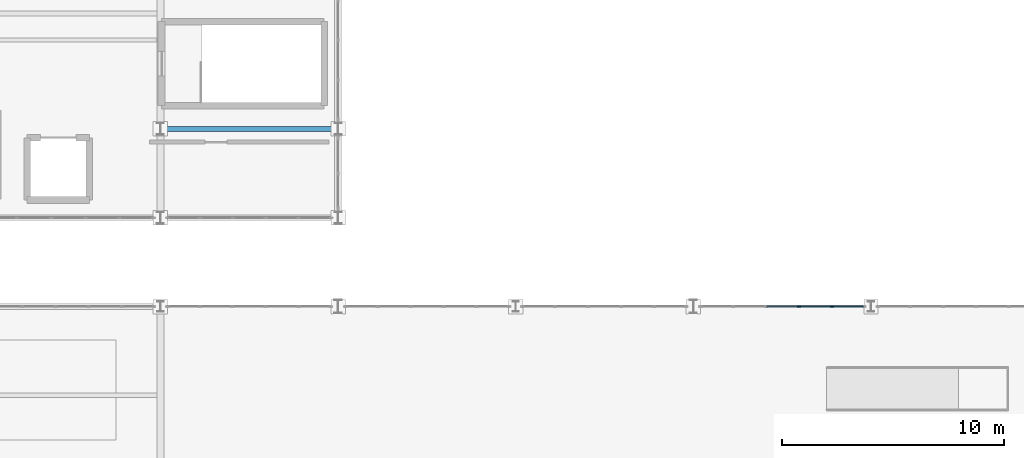
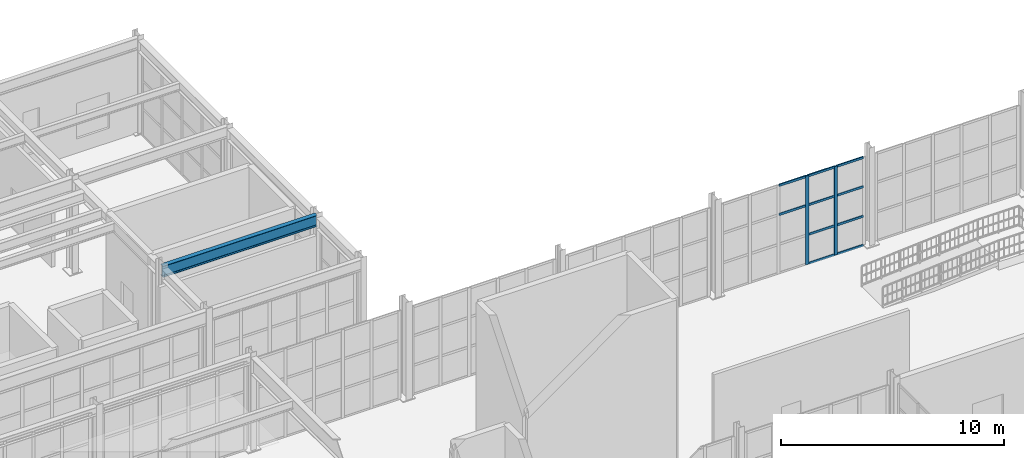
# One storey, part 37 of 82: 12 members, 1 beam, 1 element without a shape of its own.
"""IFC4 building model written with IfcOpenShell, lengths in metres."""

from ifc_helpers import new_model, si_unit, direction, frame, origin, origin_2d, place, context, subcontext, project, spatial, rectangle, i_section, extrude, material, material_profile, profile_set, type_object, element, aggregate, save


model = new_model("IFC4")

# Units and contexts
model_context = context("Model", 3, precision=1e-05, world=origin(), true_north=direction((0.0, 1.0)))
body_context = subcontext(model_context, "Body", "Model", "MODEL_VIEW")
ifc_project = project(units=[si_unit("LENGTHUNIT", "METRE"), si_unit("AREAUNIT", "SQUARE_METRE"), si_unit("VOLUMEUNIT", "CUBIC_METRE"), si_unit("PLANEANGLEUNIT", "RADIAN"), si_unit("MASSUNIT", "GRAM", prefix="KILO")], contexts=[model_context])

# Site, building, storey
site_placement = place(None, origin())
site = spatial("IfcSite", under=ifc_project, at=site_placement, CompositionType="ELEMENT")
building_placement = place(site_placement, origin())
building = spatial("IfcBuilding", under=site, at=building_placement, Name="Serraluz Foothill Cableway Terminal", CompositionType="ELEMENT")
storey_placement = place(building_placement, frame((0.0, 0.0, 9.60009765625)))
storey = spatial("IfcBuildingStorey", under=building, at=storey_placement, Name="L02", CompositionType="ELEMENT", Elevation=9.60009765625)

# Beam
ifc_material_1 = material(Name="Steel ASTM A992 Grade 50", Category="steel")
ifc_material_profile_1 = material_profile(ifc_material_1, i_section(OverallWidth=0.22900390625, OverallDepth=0.612060546875, WebThickness=0.011962890625, FlangeThickness=0.01953125, FilletRadius=0.01806640625, at=origin_2d()), Name="W24X84")
ifc_profile_set_1 = profile_set([ifc_material_profile_1], Name="Steel ASTM A992 Grade 50")
beam_type = type_object("IfcBeamType", Name="TYP-BM-W24X84", PredefinedType="BEAM", material=ifc_profile_set_1)
beam_placement = place(storey_placement, frame((96.0048828125, 80.0, 4.85400390625), z_axis=(1.0, 0.0, 0.0), x_axis=(0.0, 1.0, 0.0)))
element("IfcBeam", 1, at=beam_placement, inside=storey, type_object=beam_type, Name="Primary Girder BM-X-L02-0317", PredefinedType="BEAM", context=body_context, shape_type="SweptSolid", body=[
    extrude(i_section(OverallWidth=0.22900390625, OverallDepth=0.612060546875, WebThickness=0.011962890625, FlangeThickness=0.01953125, FilletRadius=0.01806640625, at=origin_2d()), origin(), (0.0, 0.0, 1.0), 7.990234375),
])

# Curtain wall, members
ifc_material_2 = material(Name="Architectural bronze alloy C28000", Category="aluminium")
curtain_wall_type = type_object("IfcCurtainWallType", Name="TYP-CW-920X440", PredefinedType="NOTDEFINED", material=ifc_material_2)
curtain_wall_placement = place(storey_placement, origin())
curtain_wall = element("IfcCurtainWall", 2, at=curtain_wall_placement, inside=storey, type_object=curtain_wall_type, Name="Ribbed Glazed Curtain Wall CW-V1N-L02-120", PredefinedType="NOTDEFINED")
ifc_material_profile_2 = material_profile(ifc_material_2, rectangle(XDim=0.06005859375, YDim=0.159912109375, at=origin_2d()), Name="ALU MULLION 60x160")
ifc_profile_set_2 = profile_set([ifc_material_profile_2], Name="Architectural bronze alloy C28000")
member_type_1 = type_object("IfcMemberType", Name="TYP-CW-MUL-60X160", PredefinedType="MULLION", material=ifc_profile_set_2)
member_1_placement = place(storey_placement, frame((124.752197265625, 72.0, 0.0), z_axis=(0.0, 0.0, 1.0), x_axis=(0.0, 1.0, 0.0)))
member_1 = element("IfcMember", 3, at=member_1_placement, type_object=member_type_1, Name="CW-20 mullion 4", PredefinedType="MULLION", context=body_context, shape_type="SweptSolid", body=[
    extrude(rectangle(XDim=0.06005859375, YDim=0.159912109375, at=origin_2d()), origin(), (0.0, 0.0, 1.0), 4.849853515625),
])
member_2_placement = place(storey_placement, frame((126.2353515625, 72.0, 0.0), z_axis=(0.0, 0.0, 1.0), x_axis=(0.0, 1.0, 0.0)))
member_2 = element("IfcMember", 4, at=member_2_placement, type_object=member_type_1, Name="CW-20 mullion 5", PredefinedType="MULLION", context=body_context, shape_type="SweptSolid", body=[
    extrude(rectangle(XDim=0.06005859375, YDim=0.159912109375, at=origin_2d()), origin(), (0.0, 0.0, 1.0), 4.849853515625),
])
ifc_material_profile_3 = material_profile(ifc_material_2, rectangle(XDim=0.06005859375, YDim=0.1201171875, at=origin_2d()), Name="ALU TRANSOM 60x120")
ifc_profile_set_3 = profile_set([ifc_material_profile_3], Name="Architectural bronze alloy C28000")
member_type_2 = type_object("IfcMemberType", Name="TYP-CW-TRN-60X120", PredefinedType="USERDEFINED", material=ifc_profile_set_3)
member_3_placement = place(storey_placement, frame((123.298828125, 72.0, 3.233154296875), z_axis=(1.0, 0.0, 0.0), x_axis=(0.0, 1.0, 0.0)))
member_3 = element("IfcMember", 5, at=member_3_placement, type_object=member_type_2, Name="CW-20 transom 3.3", ObjectType="TRANSOM", PredefinedType="USERDEFINED", context=body_context, shape_type="SweptSolid", body=[
    extrude(rectangle(XDim=0.06005859375, YDim=0.1201171875, at=origin_2d()), origin(), (0.0, 0.0, 1.0), 1.42333984375),
])
member_4_placement = place(storey_placement, frame((123.298828125, 72.0, 4.81982421875), z_axis=(1.0, 0.0, 0.0), x_axis=(0.0, 1.0, 0.0)))
member_4 = element("IfcMember", 6, at=member_4_placement, type_object=member_type_2, Name="CW-20 transom 3.4", ObjectType="TRANSOM", PredefinedType="USERDEFINED", context=body_context, shape_type="SweptSolid", body=[
    extrude(rectangle(XDim=0.06005859375, YDim=0.1201171875, at=origin_2d()), origin(), (0.0, 0.0, 1.0), 1.42333984375),
])
member_5_placement = place(storey_placement, frame((124.781982421875, 72.0, 0.02978515625), z_axis=(1.0, 0.0, 0.0), x_axis=(0.0, 1.0, 0.0)))
member_5 = element("IfcMember", 7, at=member_5_placement, type_object=member_type_2, Name="CW-20 transom 4.1", ObjectType="TRANSOM", PredefinedType="USERDEFINED", context=body_context, shape_type="SweptSolid", body=[
    extrude(rectangle(XDim=0.06005859375, YDim=0.1201171875, at=origin_2d()), origin(), (0.0, 0.0, 1.0), 1.42333984375),
])
member_6_placement = place(storey_placement, frame((124.781982421875, 72.0, 1.61669921875), z_axis=(1.0, 0.0, 0.0), x_axis=(0.0, 1.0, 0.0)))
member_6 = element("IfcMember", 8, at=member_6_placement, type_object=member_type_2, Name="CW-20 transom 4.2", ObjectType="TRANSOM", PredefinedType="USERDEFINED", context=body_context, shape_type="SweptSolid", body=[
    extrude(rectangle(XDim=0.06005859375, YDim=0.1201171875, at=origin_2d()), origin(), (0.0, 0.0, 1.0), 1.42333984375),
])
member_7_placement = place(storey_placement, frame((124.781982421875, 72.0, 3.233154296875), z_axis=(1.0, 0.0, 0.0), x_axis=(0.0, 1.0, 0.0)))
member_7 = element("IfcMember", 9, at=member_7_placement, type_object=member_type_2, Name="CW-20 transom 4.3", ObjectType="TRANSOM", PredefinedType="USERDEFINED", context=body_context, shape_type="SweptSolid", body=[
    extrude(rectangle(XDim=0.06005859375, YDim=0.1201171875, at=origin_2d()), origin(), (0.0, 0.0, 1.0), 1.42333984375),
])
member_8_placement = place(storey_placement, frame((124.781982421875, 72.0, 4.81982421875), z_axis=(1.0, 0.0, 0.0), x_axis=(0.0, 1.0, 0.0)))
member_8 = element("IfcMember", 10, at=member_8_placement, type_object=member_type_2, Name="CW-20 transom 4.4", ObjectType="TRANSOM", PredefinedType="USERDEFINED", context=body_context, shape_type="SweptSolid", body=[
    extrude(rectangle(XDim=0.06005859375, YDim=0.1201171875, at=origin_2d()), origin(), (0.0, 0.0, 1.0), 1.42333984375),
])
member_9_placement = place(storey_placement, frame((126.265380859375, 72.0, 0.02978515625), z_axis=(1.0, 0.0, 0.0), x_axis=(0.0, 1.0, 0.0)))
member_9 = element("IfcMember", 11, at=member_9_placement, type_object=member_type_2, Name="CW-20 transom 5.1", ObjectType="TRANSOM", PredefinedType="USERDEFINED", context=body_context, shape_type="SweptSolid", body=[
    extrude(rectangle(XDim=0.06005859375, YDim=0.1201171875, at=origin_2d()), origin(), (0.0, 0.0, 1.0), 1.39306640625),
])
member_10_placement = place(storey_placement, frame((126.265380859375, 72.0, 1.61669921875), z_axis=(1.0, 0.0, 0.0), x_axis=(0.0, 1.0, 0.0)))
member_10 = element("IfcMember", 12, at=member_10_placement, type_object=member_type_2, Name="CW-20 transom 5.2", ObjectType="TRANSOM", PredefinedType="USERDEFINED", context=body_context, shape_type="SweptSolid", body=[
    extrude(rectangle(XDim=0.06005859375, YDim=0.1201171875, at=origin_2d()), origin(), (0.0, 0.0, 1.0), 1.39306640625),
])
member_11_placement = place(storey_placement, frame((126.265380859375, 72.0, 3.233154296875), z_axis=(1.0, 0.0, 0.0), x_axis=(0.0, 1.0, 0.0)))
member_11 = element("IfcMember", 13, at=member_11_placement, type_object=member_type_2, Name="CW-20 transom 5.3", ObjectType="TRANSOM", PredefinedType="USERDEFINED", context=body_context, shape_type="SweptSolid", body=[
    extrude(rectangle(XDim=0.06005859375, YDim=0.1201171875, at=origin_2d()), origin(), (0.0, 0.0, 1.0), 1.39306640625),
])
member_12_placement = place(storey_placement, frame((126.265380859375, 72.0, 4.81982421875), z_axis=(1.0, 0.0, 0.0), x_axis=(0.0, 1.0, 0.0)))
member_12 = element("IfcMember", 14, at=member_12_placement, type_object=member_type_2, Name="CW-20 transom 5.4", ObjectType="TRANSOM", PredefinedType="USERDEFINED", context=body_context, shape_type="SweptSolid", body=[
    extrude(rectangle(XDim=0.06005859375, YDim=0.1201171875, at=origin_2d()), origin(), (0.0, 0.0, 1.0), 1.39306640625),
])
aggregate(curtain_wall, [member_1, member_2, member_3, member_4, member_5, member_6, member_7, member_8, member_9, member_10, member_11, member_12])

save(model, "model.ifc")
